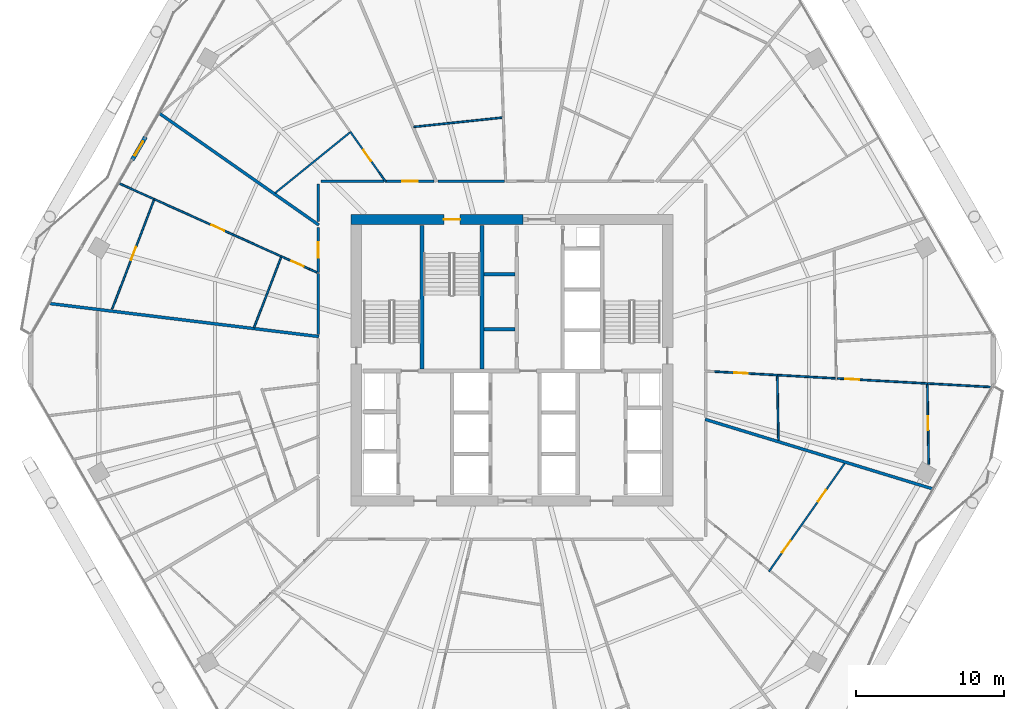
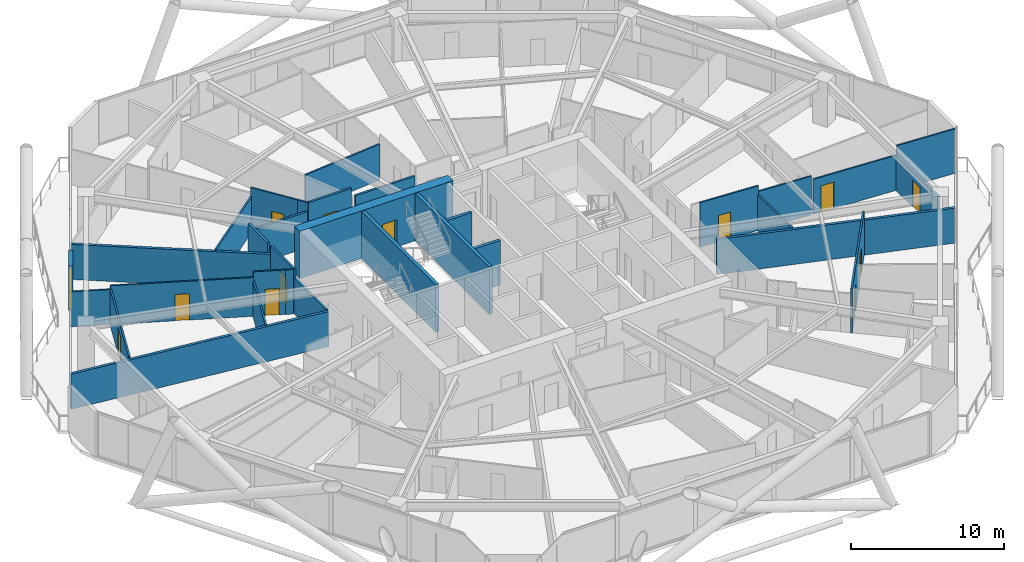
# One storey, part 32 of 36: 32 walls, 13 doors, 13 openings.
"""IFC4 building model written with IfcOpenShell, lengths in metres."""

from ifc_helpers import new_model, si_unit, direction, frame, frame_2d, origin, place, context, subcontext, project, spatial, rectangle, extrude, material, layer, layer_set, type_object, element, fill, save


model = new_model("IFC4")

# Units and contexts
model_context = context("Model", 3, precision=1e-05, world=origin(), true_north=direction((0.0, 1.0)))
body_context = subcontext(model_context, "Body", "Model", "MODEL_VIEW")
ifc_project = project(units=[si_unit("LENGTHUNIT", "METRE"), si_unit("AREAUNIT", "SQUARE_METRE"), si_unit("VOLUMEUNIT", "CUBIC_METRE"), si_unit("PLANEANGLEUNIT", "RADIAN"), si_unit("MASSUNIT", "GRAM", prefix="KILO")], contexts=[model_context])

# Site, building, storey
site_placement = place(None, origin())
site = spatial("IfcSite", under=ifc_project, at=site_placement, CompositionType="ELEMENT")
building_placement = place(site_placement, origin())
building = spatial("IfcBuilding", under=site, at=building_placement, Name="Zuhravey Tower", CompositionType="ELEMENT")
storey_placement = place(building_placement, frame((0.0, 0.0, 107.60009765625)))
storey = spatial("IfcBuildingStorey", under=building, at=storey_placement, Name="L26", CompositionType="ELEMENT", Elevation=107.60009765625)

# Wall, opening, door
ifc_material_1 = material(Name="Concrete C60/75", Category="concrete")
ifc_layer_1 = layer(ifc_material_1, 0.699951171875)
ifc_layer_set_1 = layer_set([ifc_layer_1], Name="Concrete C60/75")
wall_type_1 = type_object("IfcWallType", Name="Core Shear Wall 700", PredefinedType="SHEAR", material=ifc_layer_set_1)
wall_1_placement = place(storey_placement, frame((36.75, 41.5, 0.0), z_axis=(0.0, 0.0, 1.0), x_axis=(-1.0, 0.0, 0.0)))
wall_1 = element("IfcWall", 1, at=wall_1_placement, inside=storey, type_object=wall_type_1, Name="L26 North-West Core Shear Wall CW70", PredefinedType="SHEAR", context=body_context, shape_type="SweptSolid", body=[
    extrude(rectangle(XDim=11.60009765625, YDim=0.699951171875, at=frame_2d((5.800048828125, 0.0))), origin(), (0.0, 0.0, 1.0), 3.7998046875),
])
opening_1_placement = place(wall_1_placement, frame((4.25, 0.0, 0.0)))
opening_1 = element("IfcOpeningElement", 2, at=opening_1_placement, cuts=wall_1, Name="Opening STD1", PredefinedType="OPENING", context=body_context, shape_type="SweptSolid", body=[
    extrude(rectangle(XDim=1.10009765625, YDim=2.14990234375, at=frame_2d((0.550048828125, 1.074951171875))), frame((0.0, 0.362060546875, 0.0), z_axis=(0.0, -1.0, 0.0), x_axis=(1.0, 0.0, 0.0)), (0.0, 0.0, 1.0), 0.723876953125),
])
ifc_material_2 = material(Name="Galvanised fire-rated steel leaf", Category="steel")
door_type_1 = type_object("IfcDoorType", Name="Protected Stair Fire Door 1100x2150", OperationType="NOTDEFINED", PredefinedType="USERDEFINED", material=ifc_material_2)
door_1_placement = place(opening_1_placement, origin())
door_1 = element("IfcDoor", 3, at=door_1_placement, inside=storey, type_object=door_type_1, Name="L26 Stair ST3 Door", ObjectType="EXITDOOR", OperationType="SINGLE_SWING_RIGHT", OverallHeight=2.14990234375, OverallWidth=1.10009765625, PredefinedType="USERDEFINED", context=body_context, shape_type="SweptSolid", body=[
    extrude(rectangle(XDim=1.10009765625, YDim=2.14990234375, at=frame_2d((0.550048828125, 1.074951171875))), frame((0.0, 0.02490234375, 0.0), z_axis=(0.0, -1.0, 0.0), x_axis=(1.0, 0.0, 0.0)), (0.0, 0.0, 1.0), 0.050048828125),
])
fill(opening_1, door_1)

ifc_material_3 = material(Name="Gypsum fire-rated stud partition")
ifc_layer_2 = layer(ifc_material_3, 0.159912109375)
ifc_layer_set_2 = layer_set([ifc_layer_2], Name="Gypsum fire-rated stud partition")
wall_type_2 = type_object("IfcWallType", Name="Corridor Fire Partition 160", PredefinedType="PARTITIONING", material=ifc_layer_set_2)
wall_2_placement = place(storey_placement, frame((30.7255859375, 44.080078125, 0.0), z_axis=(0.0, 0.0, 1.0), x_axis=(-1.0, 0.0, 0.0)))
wall_2 = element("IfcWall", 4, at=wall_2_placement, inside=storey, type_object=wall_type_2, Name="L26 IW16 Partition 038", PredefinedType="PARTITIONING", context=body_context, shape_type="SweptSolid", body=[
    extrude(rectangle(XDim=3.247802734375, YDim=0.159912109375, at=frame_2d((1.6240234375, 0.0))), origin(), (0.0, 0.0, 1.0), 3.5498046875),
])
opening_2_placement = place(wall_2_placement, frame((1.09912109375, 0.0, 0.0)))
opening_2 = element("IfcOpeningElement", 5, at=opening_2_placement, cuts=wall_2, Name="Opening APD1", PredefinedType="OPENING", context=body_context, shape_type="SweptSolid", body=[
    extrude(rectangle(XDim=1.050048828125, YDim=2.14990234375, at=frame_2d((0.52490234375, 1.074951171875))), frame((0.0, 0.092041015625, 0.0), z_axis=(0.0, -1.0, 0.0), x_axis=(1.0, 0.0, 0.0)), (0.0, 0.0, 1.0), 0.183837890625),
])
ifc_material_4 = material(Name="Solid-core oak fire-rated leaf")
door_type_2 = type_object("IfcDoorType", Name="Apartment Entrance Fire Door 1050x2150", OperationType="NOTDEFINED", PredefinedType="DOOR", material=ifc_material_4)
door_2_placement = place(opening_2_placement, frame((1.050048828125, 0.0, 0.0), z_axis=(0.0, 0.0, 1.0), x_axis=(-1.0, 0.0, 0.0)))
door_2 = element("IfcDoor", 6, at=door_2_placement, inside=storey, type_object=door_type_2, Name="L26 Door 038.1", OperationType="SINGLE_SWING_RIGHT", OverallHeight=2.14990234375, OverallWidth=1.050048828125, PredefinedType="DOOR", context=body_context, shape_type="SweptSolid", body=[
    extrude(rectangle(XDim=1.050048828125, YDim=2.14990234375, at=frame_2d((0.52490234375, 1.074951171875))), frame((0.0, 0.02490234375, 0.0), z_axis=(0.0, -1.0, 0.0), x_axis=(1.0, 0.0, 0.0)), (0.0, 0.0, 1.0), 0.050048828125),
])
fill(opening_2, door_2)

wall_3_placement = place(storey_placement, frame((22.919921875, 40.96533203125, 0.0), z_axis=(0.0, 0.0, 1.0), x_axis=(0.0, -1.0, 0.0)))
wall_3 = element("IfcWall", 7, at=wall_3_placement, inside=storey, type_object=wall_type_2, Name="L26 IW16 Partition 042", PredefinedType="PARTITIONING", context=body_context, shape_type="SweptSolid", body=[
    extrude(rectangle(XDim=3.053955078125, YDim=0.159912109375, at=frame_2d((1.52685546875, 0.0))), origin(), (0.0, 0.0, 1.0), 3.5498046875),
])
opening_3_placement = place(wall_3_placement, frame((1.002197265625, 0.0, 0.0)))
opening_3 = element("IfcOpeningElement", 8, at=opening_3_placement, cuts=wall_3, Name="Opening APD1", PredefinedType="OPENING", context=body_context, shape_type="SweptSolid", body=[
    extrude(rectangle(XDim=1.050048828125, YDim=2.14990234375, at=frame_2d((0.52490234375, 1.074951171875))), frame((0.0, 0.092041015625, 0.0), z_axis=(0.0, -1.0, 0.0), x_axis=(1.0, 0.0, 0.0)), (0.0, 0.0, 1.0), 0.183837890625),
])
door_3_placement = place(opening_3_placement, frame((1.050048828125, 0.0, 0.0), z_axis=(0.0, 0.0, 1.0), x_axis=(-1.0, 0.0, 0.0)))
door_3 = element("IfcDoor", 9, at=door_3_placement, inside=storey, type_object=door_type_2, Name="L26 Door 042.1", OperationType="SINGLE_SWING_RIGHT", OverallHeight=2.14990234375, OverallWidth=1.050048828125, PredefinedType="DOOR", context=body_context, shape_type="SweptSolid", body=[
    extrude(rectangle(XDim=1.050048828125, YDim=2.14990234375, at=frame_2d((0.52490234375, 1.074951171875))), frame((0.0, 0.02490234375, 0.0), z_axis=(0.0, -1.0, 0.0), x_axis=(1.0, 0.0, 0.0)), (0.0, 0.0, 1.0), 0.050048828125),
])
fill(opening_3, door_3)

# Walls
wall_4_placement = place(storey_placement, frame((35.501708984375, 44.080078125, 0.0), z_axis=(0.0, 0.0, 1.0), x_axis=(-1.0, 0.0, 0.0)))
element("IfcWall", 10, at=wall_4_placement, inside=storey, type_object=wall_type_2, Name="L26 IW16 Partition 140", PredefinedType="PARTITIONING", context=body_context, shape_type="SweptSolid", body=[
    extrude(rectangle(XDim=4.48388671875, YDim=0.159912109375, at=frame_2d((2.241943359375, 0.0))), origin(), (0.0, 0.0, 1.0), 2.849853515625),
])
wall_5_placement = place(storey_placement, frame((27.369873046875, 44.080078125, 0.0), z_axis=(0.0, 0.0, 1.0), x_axis=(-1.0, 0.0, 0.0)))
element("IfcWall", 11, at=wall_5_placement, inside=storey, type_object=wall_type_2, Name="L26 IW16 Partition 141", PredefinedType="PARTITIONING", context=body_context, shape_type="SweptSolid", body=[
    extrude(rectangle(XDim=4.269775390625, YDim=0.159912109375, at=frame_2d((2.134765625, 0.0))), origin(), (0.0, 0.0, 1.0), 2.849853515625),
])
wall_6_placement = place(storey_placement, frame((22.919921875, 43.89990234375, 0.0), z_axis=(0.0, 0.0, 1.0), x_axis=(0.0, -1.0, 0.0)))
element("IfcWall", 12, at=wall_6_placement, inside=storey, type_object=wall_type_2, Name="L26 IW16 Partition 142", PredefinedType="PARTITIONING", context=body_context, shape_type="SweptSolid", body=[
    extrude(rectangle(XDim=2.54541015625, YDim=0.159912109375, at=frame_2d((1.272705078125, 0.0))), origin(), (0.0, 0.0, 1.0), 3.5498046875),
])
wall_7_placement = place(storey_placement, frame((22.919921875, 37.867431640625, 0.0), z_axis=(0.0, 0.0, 1.0), x_axis=(0.0, -1.0, 0.0)))
element("IfcWall", 13, at=wall_7_placement, inside=storey, type_object=wall_type_2, Name="L26 IW16 Partition 143", PredefinedType="PARTITIONING", context=body_context, shape_type="SweptSolid", body=[
    extrude(rectangle(XDim=4.125244140625, YDim=0.159912109375, at=frame_2d((2.0625, 0.0))), origin(), (0.0, 0.0, 1.0), 2.849853515625),
])

# Wall, opening, door
ifc_material_5 = material(Name="Precast concrete C40/50", Category="concrete")
ifc_layer_3 = layer(ifc_material_5, 0.280029296875)
ifc_layer_set_3 = layer_set([ifc_layer_3], Name="Precast concrete C40/50")
wall_type_3 = type_object("IfcWallType", Name="Crown Architectural Wall 280", PredefinedType="SOLIDWALL", material=ifc_layer_set_3)
wall_8_placement = place(storey_placement, frame((10.366943359375, 45.51904296875, 0.0), z_axis=(0.0, 0.0, 1.0), x_axis=(0.499982180423, 0.866035691677, 0.0)))
wall_8 = element("IfcWall", 14, at=wall_8_placement, inside=storey, type_object=wall_type_3, Name="L26 Face 3 Facade Pier EW28-1", PredefinedType="SOLIDWALL", context=body_context, shape_type="SweptSolid", body=[
    extrude(rectangle(XDim=1.7900390625, YDim=0.280029296875, at=frame_2d((0.89501953125, 0.0))), origin(), (0.0, 0.0, 1.0), 3.5498046875),
])
opening_4_placement = place(wall_8_placement, frame((0.344970703125, 0.0, 0.0)))
opening_4 = element("IfcOpeningElement", 15, at=opening_4_placement, cuts=wall_8, Name="Opening BLD1", PredefinedType="OPENING", context=body_context, shape_type="SweptSolid", body=[
    extrude(rectangle(XDim=1.10009765625, YDim=2.199951171875, at=frame_2d((0.550048828125, 1.10009765625))), frame((0.0, 0.152099609375, 0.0), z_axis=(0.0, -1.0, 0.0), x_axis=(1.0, 0.0, 0.0)), (0.0, 0.0, 1.0), 0.303955078125),
])
ifc_material_6 = material(Name="Thermally broken aluminium and low-E glass", Category="aluminium")
door_type_3 = type_object("IfcDoorType", Name="Balcony & Sky-Tray Glazed Door 1100x2200", OperationType="NOTDEFINED", PredefinedType="DOOR", material=ifc_material_6)
door_4_placement = place(opening_4_placement, frame((1.10009765625, 0.0, 0.0), z_axis=(0.0, 0.0, 1.0), x_axis=(-1.0, 0.0, 0.0)))
door_4 = element("IfcDoor", 16, at=door_4_placement, inside=storey, type_object=door_type_3, Name="L26 Face 3 Wave Balcony Door", OperationType="SINGLE_SWING_RIGHT", OverallHeight=2.199951171875, OverallWidth=1.10009765625, PredefinedType="DOOR", context=body_context, shape_type="SweptSolid", body=[
    extrude(rectangle(XDim=1.10009765625, YDim=2.199951171875, at=frame_2d((0.550048828125, 1.10009765625))), frame((0.0, 0.02490234375, 0.0), z_axis=(0.0, -1.0, 0.0), x_axis=(1.0, 0.0, 0.0)), (0.0, 0.0, 1.0), 0.050048828125),
])
fill(opening_4, door_4)

# Walls
ifc_material_7 = material(Name="Concrete C50/60", Category="concrete")
ifc_layer_4 = layer(ifc_material_7, 0.25)
ifc_layer_set_4 = layer_set([ifc_layer_4], Name="Concrete C50/60")
wall_type_4 = type_object("IfcWallType", Name="Firefighting Shaft & Stair Wall 250", PredefinedType="SOLIDWALL", material=ifc_layer_set_4)
for number, where, z_axis, x_axis, name in (
    (17, (29.925048828125, 31.39990234375, 0.0), (0.0, 0.0, 1.0), (0.0, 1.0, 0.0), "L26 FW25 Shaft Wall 004"),
    (18, (33.97509765625, 31.39990234375, 0.0), (0.0, 0.0, 1.0), (0.0, 1.0, 0.0), "L26 FW25 Shaft Wall 005"),
):
    element("IfcWall", number, at=place(storey_placement, frame(where, z_axis=z_axis, x_axis=x_axis)), inside=storey, type_object=wall_type_4, Name=name, PredefinedType="SOLIDWALL", context=body_context, shape_type="SweptSolid", body=[
        extrude(rectangle(XDim=9.7001953125, YDim=0.25, at=frame_2d((4.85009765625, 0.0))), origin(), (0.0, 0.0, 1.0), 3.7998046875),
    ])
ifc_material_8 = material(Name="Gypsum double-stud party assembly")
ifc_layer_5 = layer(ifc_material_8, 0.199951171875)
ifc_layer_set_5 = layer_set([ifc_layer_5], Name="Gypsum double-stud party assembly")
wall_type_5 = type_object("IfcWallType", Name="Inter-Tenancy Party Wall 200", PredefinedType="PARTITIONING", material=ifc_layer_set_5)
wall_9_placement = place(storey_placement, frame((22.9599609375, 41.130615234375, 0.0), z_axis=(0.0, 0.0, 1.0), x_axis=(-0.819148180014, 0.573581955068, 0.0)))
element("IfcWall", 19, at=wall_9_placement, inside=storey, type_object=wall_type_5, Name="L26 IW20 Partition 101", PredefinedType="PARTITIONING", context=body_context, shape_type="SweptSolid", body=[
    extrude(rectangle(XDim=13.150146484375, YDim=0.199951171875, at=frame_2d((6.5751953125, 0.0))), origin(), (0.0, 0.0, 1.0), 2.7998046875),
])
wall_10_placement = place(storey_placement, frame((22.9599609375, 33.60107421875, 0.0), z_axis=(0.0, 0.0, 1.0), x_axis=(-0.99254551981, 0.121874489148, 0.0)))
element("IfcWall", 20, at=wall_10_placement, inside=storey, type_object=wall_type_5, Name="L26 IW20 Partition 105", PredefinedType="PARTITIONING", context=body_context, shape_type="SweptSolid", body=[
    extrude(rectangle(XDim=18.3212890625, YDim=0.199951171875, at=frame_2d((9.16064453125, 0.0))), origin(), (0.0, 0.0, 1.0), 2.7998046875),
])
wall_11_placement = place(storey_placement, frame((49.0400390625, 28.01318359375, 0.0), z_axis=(0.0, 0.0, 1.0), x_axis=(0.956308788135, -0.292358515757, 0.0)))
element("IfcWall", 21, at=wall_11_placement, inside=storey, type_object=wall_type_5, Name="L26 IW20 Partition 132", PredefinedType="PARTITIONING", context=body_context, shape_type="SweptSolid", body=[
    extrude(rectangle(XDim=16.084228515625, YDim=0.199951171875, at=frame_2d((8.0419921875, 0.0))), origin(), (0.0, 0.0, 1.0), 2.7998046875),
])
ifc_material_9 = material(Name="Gypsum acoustic stud assembly")
ifc_layer_6 = layer(ifc_material_9, 0.219970703125)
ifc_layer_set_6 = layer_set([ifc_layer_6], Name="Gypsum acoustic stud assembly")
wall_type_6 = type_object("IfcWallType", Name="School Acoustic Compartment Wall 220", PredefinedType="PARTITIONING", material=ifc_layer_set_6)
for number, where, z_axis, x_axis, name in (
    (22, (34.10791015625, 34.10009765625, 0.0), (0.0, 0.0, 1.0), (1.0, 0.0, 0.0), "L26 IW22 Partition 075"),
    (23, (34.10791015625, 37.800048828125, 0.0), (0.0, 0.0, 1.0), (1.0, 0.0, 0.0), "L26 IW22 Partition 076"),
):
    element("IfcWall", number, at=place(storey_placement, frame(where, z_axis=z_axis, x_axis=x_axis)), inside=storey, type_object=wall_type_6, Name=name, PredefinedType="PARTITIONING", context=body_context, shape_type="SweptSolid", body=[
        extrude(rectangle(XDim=2.083984375, YDim=0.219970703125, at=frame_2d((1.0419921875, 0.0))), origin(), (0.0, 0.0, 1.0), 3.5498046875),
    ])

# Wall, opening, door
ifc_material_10 = material(Name="Gypsum metal-stud partition")
ifc_layer_7 = layer(ifc_material_10, 0.1201171875)
ifc_layer_set_7 = layer_set([ifc_layer_7], Name="Gypsum metal-stud partition")
wall_type_7 = type_object("IfcWallType", Name="Unit Internal Partition 120", PredefinedType="PARTITIONING", material=ifc_layer_set_7)
wall_12_placement = place(storey_placement, frame((27.0498046875, 44.64990234375, 0.0), z_axis=(0.0, 0.0, 1.0), x_axis=(-0.577553372085, 0.816352927595, 0.0)))
wall_12 = element("IfcWall", 24, at=wall_12_placement, inside=storey, type_object=wall_type_7, Name="L26 IW12 Partition 034", PredefinedType="PARTITIONING", context=body_context, shape_type="SweptSolid", body=[
    extrude(rectangle(XDim=3.40234375, YDim=0.1201171875, at=frame_2d((1.701171875, 0.0))), origin(), (0.0, 0.0, 1.0), 3.5498046875),
])
opening_5_placement = place(wall_12_placement, frame((0.97900390625, 0.0, 0.0)))
opening_5 = element("IfcOpeningElement", 25, at=opening_5_placement, cuts=wall_12, Name="Opening WCD1", PredefinedType="OPENING", context=body_context, shape_type="SweptSolid", body=[
    extrude(rectangle(XDim=0.89990234375, YDim=2.10009765625, at=frame_2d((0.449951171875, 1.050048828125))), frame((0.0, 0.072021484375, 0.0), z_axis=(0.0, -1.0, 0.0), x_axis=(1.0, 0.0, 0.0)), (0.0, 0.0, 1.0), 0.14404296875),
])
ifc_material_11 = material(Name="Moisture-resistant timber leaf", Category="wood")
door_type_4 = type_object("IfcDoorType", Name="Bathroom & WC Internal Door 900x2100", OperationType="NOTDEFINED", PredefinedType="DOOR", material=ifc_material_11)
door_5_placement = place(opening_5_placement, origin())
door_5 = element("IfcDoor", 26, at=door_5_placement, inside=storey, type_object=door_type_4, Name="Apartment L26-04 Bathroom Door", OperationType="SINGLE_SWING_LEFT", OverallHeight=2.10009765625, OverallWidth=0.89990234375, PredefinedType="DOOR", context=body_context, shape_type="SweptSolid", body=[
    extrude(rectangle(XDim=0.89990234375, YDim=2.10009765625, at=frame_2d((0.449951171875, 1.050048828125))), frame((0.0, 0.02490234375, 0.0), z_axis=(0.0, -1.0, 0.0), x_axis=(1.0, 0.0, 0.0)), (0.0, 0.0, 1.0), 0.050048828125),
])
fill(opening_5, door_5)

wall_13_placement = place(storey_placement, frame((22.35009765625, 38.14599609375, 0.0), z_axis=(0.0, 0.0, 1.0), x_axis=(-0.911826982845, 0.410574662341, 0.0)))
wall_13 = element("IfcWall", 27, at=wall_13_placement, inside=storey, type_object=wall_type_7, Name="L26 IW12 Partition 039", PredefinedType="PARTITIONING", context=body_context, shape_type="SweptSolid", body=[
    extrude(rectangle(XDim=2.126953125, YDim=0.1201171875, at=frame_2d((1.0634765625, 0.0))), origin(), (0.0, 0.0, 1.0), 3.5498046875),
])
opening_6_placement = place(wall_13_placement, frame((0.443359375, 0.0, 0.0)))
opening_6 = element("IfcOpeningElement", 28, at=opening_6_placement, cuts=wall_13, Name="Opening WCD1", PredefinedType="OPENING", context=body_context, shape_type="SweptSolid", body=[
    extrude(rectangle(XDim=0.89990234375, YDim=2.10009765625, at=frame_2d((0.449951171875, 1.050048828125))), frame((0.0, 0.072021484375, 0.0), z_axis=(0.0, -1.0, 0.0), x_axis=(1.0, 0.0, 0.0)), (0.0, 0.0, 1.0), 0.14404296875),
])
door_6_placement = place(opening_6_placement, origin())
door_6 = element("IfcDoor", 29, at=door_6_placement, inside=storey, type_object=door_type_4, Name="Apartment L26-05 Bathroom Door", OperationType="SINGLE_SWING_LEFT", OverallHeight=2.10009765625, OverallWidth=0.89990234375, PredefinedType="DOOR", context=body_context, shape_type="SweptSolid", body=[
    extrude(rectangle(XDim=0.89990234375, YDim=2.10009765625, at=frame_2d((0.449951171875, 1.050048828125))), frame((0.0, 0.02490234375, 0.0), z_axis=(0.0, -1.0, 0.0), x_axis=(1.0, 0.0, 0.0)), (0.0, 0.0, 1.0), 0.050048828125),
])
fill(opening_6, door_6)

wall_14_placement = place(storey_placement, frame((20.41064453125, 39.019287109375, 0.0), z_axis=(0.0, 0.0, 1.0), x_axis=(-0.911837449282, 0.410551417104, 0.0)))
wall_14 = element("IfcWall", 30, at=wall_14_placement, inside=storey, type_object=wall_type_7, Name="L26 IW12 Partition 040", PredefinedType="PARTITIONING", context=body_context, shape_type="SweptSolid", body=[
    extrude(rectangle(XDim=9.404052734375, YDim=0.1201171875, at=frame_2d((4.7021484375, 0.0))), origin(), (0.0, 0.0, 1.0), 3.099853515625),
])
opening_7_placement = place(wall_14_placement, frame((4.2021484375, 0.0, 0.0)))
opening_7 = element("IfcOpeningElement", 31, at=opening_7_placement, cuts=wall_14, Name="Opening IND1", PredefinedType="OPENING", context=body_context, shape_type="SweptSolid", body=[
    extrude(rectangle(XDim=0.949951171875, YDim=2.10009765625, at=frame_2d((0.47509765625, 1.050048828125))), frame((0.0, 0.072021484375, 0.0), z_axis=(0.0, -1.0, 0.0), x_axis=(1.0, 0.0, 0.0)), (0.0, 0.0, 1.0), 0.14404296875),
])
ifc_material_12 = material(Name="Painted engineered timber leaf", Category="wood")
door_type_5 = type_object("IfcDoorType", Name="Internal Room & Bedroom Door 950x2100", OperationType="NOTDEFINED", PredefinedType="DOOR", material=ifc_material_12)
door_7_placement = place(opening_7_placement, origin())
door_7 = element("IfcDoor", 32, at=door_7_placement, inside=storey, type_object=door_type_5, Name="Apartment L26-05 Home Office Door", OperationType="SINGLE_SWING_RIGHT", OverallHeight=2.10009765625, OverallWidth=0.949951171875, PredefinedType="DOOR", context=body_context, shape_type="SweptSolid", body=[
    extrude(rectangle(XDim=0.949951171875, YDim=2.10009765625, at=frame_2d((0.47509765625, 1.050048828125))), frame((0.0, 0.02490234375, 0.0), z_axis=(0.0, -1.0, 0.0), x_axis=(1.0, 0.0, 0.0)), (0.0, 0.0, 1.0), 0.050048828125),
])
fill(opening_7, door_7)

wall_15_placement = place(storey_placement, frame((11.833984375, 42.806396484375, 0.0), z_axis=(0.0, 0.0, 1.0), x_axis=(-0.358347623064, -0.933588228848, 0.0)))
wall_15 = element("IfcWall", 33, at=wall_15_placement, inside=storey, type_object=wall_type_7, Name="L26 IW12 Partition 041", PredefinedType="PARTITIONING", context=body_context, shape_type="SweptSolid", body=[
    extrude(rectangle(XDim=7.877197265625, YDim=0.1201171875, at=frame_2d((3.9384765625, 0.0))), origin(), (0.0, 0.0, 1.0), 2.849853515625),
])
opening_8_placement = place(wall_15_placement, frame((3.37939453125, 0.0, 0.0)))
opening_8 = element("IfcOpeningElement", 34, at=opening_8_placement, cuts=wall_15, Name="Opening IND1", PredefinedType="OPENING", context=body_context, shape_type="SweptSolid", body=[
    extrude(rectangle(XDim=0.949951171875, YDim=2.10009765625, at=frame_2d((0.47509765625, 1.050048828125))), frame((0.0, 0.072021484375, 0.0), z_axis=(0.0, -1.0, 0.0), x_axis=(1.0, 0.0, 0.0)), (0.0, 0.0, 1.0), 0.14404296875),
])
door_8_placement = place(opening_8_placement, frame((0.949951171875, 0.0, 0.0), z_axis=(0.0, 0.0, 1.0), x_axis=(-1.0, 0.0, 0.0)))
door_8 = element("IfcDoor", 35, at=door_8_placement, inside=storey, type_object=door_type_5, Name="Apartment L26-05 Kitchen Door", OperationType="SINGLE_SWING_LEFT", OverallHeight=2.10009765625, OverallWidth=0.949951171875, PredefinedType="DOOR", context=body_context, shape_type="SweptSolid", body=[
    extrude(rectangle(XDim=0.949951171875, YDim=2.10009765625, at=frame_2d((0.47509765625, 1.050048828125))), frame((0.0, 0.02490234375, 0.0), z_axis=(0.0, -1.0, 0.0), x_axis=(1.0, 0.0, 0.0)), (0.0, 0.0, 1.0), 0.050048828125),
])
fill(opening_8, door_8)

# Wall, openings, doors
wall_16_placement = place(storey_placement, frame((53.33544921875, 17.732421875, 0.0), z_axis=(0.0, 0.0, 1.0), x_axis=(0.573576398243, 0.819152070972, 0.0)))
wall_16 = element("IfcWall", 36, at=wall_16_placement, inside=storey, type_object=wall_type_7, Name="L26 IW12 Partition 063", PredefinedType="PARTITIONING", context=body_context, shape_type="SweptSolid", body=[
    extrude(rectangle(XDim=8.90673828125, YDim=0.1201171875, at=frame_2d((4.453369140625, 0.0))), origin(), (0.0, 0.0, 1.0), 3.5498046875),
])
opening_9_placement = place(wall_16_placement, frame((1.576416015625, 0.0, 0.0)))
opening_9 = element("IfcOpeningElement", 37, at=opening_9_placement, cuts=wall_16, Name="Opening IND1", PredefinedType="OPENING", context=body_context, shape_type="SweptSolid", body=[
    extrude(rectangle(XDim=0.949951171875, YDim=2.10009765625, at=frame_2d((0.47509765625, 1.050048828125))), frame((0.0, 0.072021484375, 0.0), z_axis=(0.0, -1.0, 0.0), x_axis=(1.0, 0.0, 0.0)), (0.0, 0.0, 1.0), 0.14404296875),
])
opening_10_placement = place(wall_16_placement, frame((5.789306640625, 0.0, 0.0)))
opening_10 = element("IfcOpeningElement", 38, at=opening_10_placement, cuts=wall_16, Name="Opening IND1", PredefinedType="OPENING", context=body_context, shape_type="SweptSolid", body=[
    extrude(rectangle(XDim=0.949951171875, YDim=2.10009765625, at=frame_2d((0.47509765625, 1.050048828125))), frame((0.0, 0.072021484375, 0.0), z_axis=(0.0, -1.0, 0.0), x_axis=(1.0, 0.0, 0.0)), (0.0, 0.0, 1.0), 0.14404296875),
])
door_9_placement = place(opening_9_placement, frame((0.949951171875, 0.0, 0.0), z_axis=(0.0, 0.0, 1.0), x_axis=(-1.0, 0.0, 0.0)))
door_9 = element("IfcDoor", 39, at=door_9_placement, inside=storey, type_object=door_type_5, Name="Apartment L26-10 Family Study Door", OperationType="SINGLE_SWING_RIGHT", OverallHeight=2.10009765625, OverallWidth=0.949951171875, PredefinedType="DOOR", context=body_context, shape_type="SweptSolid", body=[
    extrude(rectangle(XDim=0.949951171875, YDim=2.10009765625, at=frame_2d((0.47509765625, 1.050048828125))), frame((0.0, 0.02490234375, 0.0), z_axis=(0.0, -1.0, 0.0), x_axis=(1.0, 0.0, 0.0)), (0.0, 0.0, 1.0), 0.050048828125),
])
fill(opening_9, door_9)
door_10_placement = place(opening_10_placement, frame((0.949951171875, 0.0, 0.0), z_axis=(0.0, 0.0, 1.0), x_axis=(-1.0, 0.0, 0.0)))
door_10 = element("IfcDoor", 40, at=door_10_placement, inside=storey, type_object=door_type_5, Name="Apartment L26-10 Dining Room Door", OperationType="SINGLE_SWING_LEFT", OverallHeight=2.10009765625, OverallWidth=0.949951171875, PredefinedType="DOOR", context=body_context, shape_type="SweptSolid", body=[
    extrude(rectangle(XDim=0.949951171875, YDim=2.10009765625, at=frame_2d((0.47509765625, 1.050048828125))), frame((0.0, 0.02490234375, 0.0), z_axis=(0.0, -1.0, 0.0), x_axis=(1.0, 0.0, 0.0)), (0.0, 0.0, 1.0), 0.050048828125),
])
fill(opening_10, door_10)

# Wall, opening, door
wall_17_placement = place(storey_placement, frame((49.64990234375, 31.23681640625, 0.0), z_axis=(0.0, 0.0, 1.0), x_axis=(0.998441902316, -0.055801144241, 0.0)))
wall_17 = element("IfcWall", 41, at=wall_17_placement, inside=storey, type_object=wall_type_7, Name="L26 IW12 Partition 070", PredefinedType="PARTITIONING", context=body_context, shape_type="SweptSolid", body=[
    extrude(rectangle(XDim=4.28759765625, YDim=0.1201171875, at=frame_2d((2.143798828125, 0.0))), origin(), (0.0, 0.0, 1.0), 3.5498046875),
])
opening_11_placement = place(wall_17_placement, frame((1.350830078125, 0.0, 0.0)))
opening_11 = element("IfcOpeningElement", 42, at=opening_11_placement, cuts=wall_17, Name="Opening WCD1", PredefinedType="OPENING", context=body_context, shape_type="SweptSolid", body=[
    extrude(rectangle(XDim=0.89990234375, YDim=2.10009765625, at=frame_2d((0.449951171875, 1.050048828125))), frame((0.0, 0.072021484375, 0.0), z_axis=(0.0, -1.0, 0.0), x_axis=(1.0, 0.0, 0.0)), (0.0, 0.0, 1.0), 0.14404296875),
])
door_11_placement = place(opening_11_placement, frame((0.89990234375, 0.0, 0.0), z_axis=(0.0, 0.0, 1.0), x_axis=(-1.0, 0.0, 0.0)))
door_11 = element("IfcDoor", 43, at=door_11_placement, inside=storey, type_object=door_type_4, Name="Apartment L26-11 Bathroom Door", OperationType="SINGLE_SWING_RIGHT", OverallHeight=2.10009765625, OverallWidth=0.89990234375, PredefinedType="DOOR", context=body_context, shape_type="SweptSolid", body=[
    extrude(rectangle(XDim=0.89990234375, YDim=2.10009765625, at=frame_2d((0.449951171875, 1.050048828125))), frame((0.0, 0.02490234375, 0.0), z_axis=(0.0, -1.0, 0.0), x_axis=(1.0, 0.0, 0.0)), (0.0, 0.0, 1.0), 0.050048828125),
])
fill(opening_11, door_11)

# Wall
wall_18_placement = place(storey_placement, frame((53.930908203125, 30.99755859375, 0.0), z_axis=(0.0, 0.0, 1.0), x_axis=(0.998438110944, -0.055868941407, 0.0)))
element("IfcWall", 44, at=wall_18_placement, inside=storey, type_object=wall_type_7, Name="L26 IW12 Partition 071", PredefinedType="PARTITIONING", context=body_context, shape_type="SweptSolid", body=[
    extrude(rectangle(XDim=3.89794921875, YDim=0.1201171875, at=frame_2d((1.948974609375, 0.0))), origin(), (0.0, 0.0, 1.0), 3.099853515625),
])

# Wall, opening, door
wall_19_placement = place(storey_placement, frame((57.958740234375, 30.772216796875, 0.0), z_axis=(0.0, 0.0, 1.0), x_axis=(0.998441350972, -0.055811008487, 0.0)))
wall_19 = element("IfcWall", 45, at=wall_19_placement, inside=storey, type_object=wall_type_7, Name="L26 IW12 Partition 072", PredefinedType="PARTITIONING", context=body_context, shape_type="SweptSolid", body=[
    extrude(rectangle(XDim=6.106689453125, YDim=0.1201171875, at=frame_2d((3.05322265625, 0.0))), origin(), (0.0, 0.0, 1.0), 2.7998046875),
])
opening_12_placement = place(wall_19_placement, frame((0.5361328125, 0.0, 0.0)))
opening_12 = element("IfcOpeningElement", 46, at=opening_12_placement, cuts=wall_19, Name="Opening IND1", PredefinedType="OPENING", context=body_context, shape_type="SweptSolid", body=[
    extrude(rectangle(XDim=0.949951171875, YDim=2.10009765625, at=frame_2d((0.47509765625, 1.050048828125))), frame((0.0, 0.072021484375, 0.0), z_axis=(0.0, -1.0, 0.0), x_axis=(1.0, 0.0, 0.0)), (0.0, 0.0, 1.0), 0.14404296875),
])
door_12_placement = place(opening_12_placement, frame((0.949951171875, 0.0, 0.0), z_axis=(0.0, 0.0, 1.0), x_axis=(-1.0, 0.0, 0.0)))
door_12 = element("IfcDoor", 47, at=door_12_placement, inside=storey, type_object=door_type_5, Name="Apartment L26-11 Home Office Door", OperationType="SINGLE_SWING_LEFT", OverallHeight=2.10009765625, OverallWidth=0.949951171875, PredefinedType="DOOR", context=body_context, shape_type="SweptSolid", body=[
    extrude(rectangle(XDim=0.949951171875, YDim=2.10009765625, at=frame_2d((0.47509765625, 1.050048828125))), frame((0.0, 0.02490234375, 0.0), z_axis=(0.0, -1.0, 0.0), x_axis=(1.0, 0.0, 0.0)), (0.0, 0.0, 1.0), 0.050048828125),
])
fill(opening_12, door_12)

wall_20_placement = place(storey_placement, frame((64.126220703125, 24.978515625, 0.0), z_axis=(0.0, 0.0, 1.0), x_axis=(-0.017448954527, 0.999847755404, 0.0)))
wall_20 = element("IfcWall", 48, at=wall_20_placement, inside=storey, type_object=wall_type_7, Name="L26 IW12 Partition 073", PredefinedType="PARTITIONING", context=body_context, shape_type="SweptSolid", body=[
    extrude(rectangle(XDim=5.38671875, YDim=0.1201171875, at=frame_2d((2.693359375, 0.0))), origin(), (0.0, 0.0, 1.0), 2.7998046875),
])
opening_13_placement = place(wall_20_placement, frame((2.302734375, 0.0, 0.0)))
opening_13 = element("IfcOpeningElement", 49, at=opening_13_placement, cuts=wall_20, Name="Opening IND1", PredefinedType="OPENING", context=body_context, shape_type="SweptSolid", body=[
    extrude(rectangle(XDim=0.949951171875, YDim=2.10009765625, at=frame_2d((0.47509765625, 1.050048828125))), frame((0.0, 0.072021484375, 0.0), z_axis=(0.0, -1.0, 0.0), x_axis=(1.0, 0.0, 0.0)), (0.0, 0.0, 1.0), 0.14404296875),
])
door_13_placement = place(opening_13_placement, frame((0.949951171875, 0.0, 0.0), z_axis=(0.0, 0.0, 1.0), x_axis=(-1.0, 0.0, 0.0)))
door_13 = element("IfcDoor", 50, at=door_13_placement, inside=storey, type_object=door_type_5, Name="Apartment L26-11 Bedroom 1 Door", OperationType="SINGLE_SWING_RIGHT", OverallHeight=2.10009765625, OverallWidth=0.949951171875, PredefinedType="DOOR", context=body_context, shape_type="SweptSolid", body=[
    extrude(rectangle(XDim=0.949951171875, YDim=2.10009765625, at=frame_2d((0.47509765625, 1.050048828125))), frame((0.0, 0.02490234375, 0.0), z_axis=(0.0, -1.0, 0.0), x_axis=(1.0, 0.0, 0.0)), (0.0, 0.0, 1.0), 0.050048828125),
])
fill(opening_13, door_13)

# Walls
wall_21_placement = place(storey_placement, frame((35.348388671875, 48.379150390625, 0.0), z_axis=(0.0, 0.0, 1.0), x_axis=(-0.994520791482, -0.104538965509, 0.0)))
element("IfcWall", 51, at=wall_21_placement, inside=storey, type_object=wall_type_7, Name="L26 IW12 Partition 096", PredefinedType="PARTITIONING", context=body_context, shape_type="SweptSolid", body=[
    extrude(rectangle(XDim=6.013671875, YDim=0.1201171875, at=frame_2d((3.0068359375, 0.0))), origin(), (0.0, 0.0, 1.0), 2.849853515625),
])
wall_22_placement = place(storey_placement, frame((27.477783203125, 44.04541015625, 0.0), z_axis=(0.0, 0.0, 1.0), x_axis=(-0.577834412399, 0.816154024586, 0.0)))
element("IfcWall", 52, at=wall_22_placement, inside=storey, type_object=wall_type_7, Name="L26 IW12 Partition 098", PredefinedType="PARTITIONING", context=body_context, shape_type="SweptSolid", body=[
    extrude(rectangle(XDim=0.74072265625, YDim=0.1201171875, at=frame_2d((0.370361328125, 0.0))), origin(), (0.0, 0.0, 1.0), 3.5498046875),
])
wall_23_placement = place(storey_placement, frame((25.046142578125, 47.3642578125, 0.0), z_axis=(0.0, 0.0, 1.0), x_axis=(-0.777136993878, -0.629331464926, 0.0)))
element("IfcWall", 53, at=wall_23_placement, inside=storey, type_object=wall_type_7, Name="L26 IW12 Partition 100", PredefinedType="PARTITIONING", context=body_context, shape_type="SweptSolid", body=[
    extrude(rectangle(XDim=6.483154296875, YDim=0.1201171875, at=frame_2d((3.24169921875, 0.0))), origin(), (0.0, 0.0, 1.0), 2.849853515625),
])
wall_24_placement = place(storey_placement, frame((22.83203125, 37.928955078125, 0.0), z_axis=(0.0, 0.0, 1.0), x_axis=(-0.911800467551, 0.410633543897, 0.0)))
element("IfcWall", 54, at=wall_24_placement, inside=storey, type_object=wall_type_7, Name="L26 IW12 Partition 102", PredefinedType="PARTITIONING", context=body_context, shape_type="SweptSolid", body=[
    extrude(rectangle(XDim=0.528564453125, YDim=0.1201171875, at=frame_2d((0.26416015625, 0.0))), origin(), (0.0, 0.0, 1.0), 3.5498046875),
])
wall_25_placement = place(storey_placement, frame((11.835693359375, 42.880126953125, 0.0), z_axis=(0.0, 0.0, 1.0), x_axis=(-0.911821705631, 0.410586382068, 0.0)))
element("IfcWall", 55, at=wall_25_placement, inside=storey, type_object=wall_type_7, Name="L26 IW12 Partition 103", PredefinedType="PARTITIONING", context=body_context, shape_type="SweptSolid", body=[
    extrude(rectangle(XDim=2.60986328125, YDim=0.1201171875, at=frame_2d((1.304931640625, 0.0))), origin(), (0.0, 0.0, 1.0), 2.7998046875),
])
wall_26_placement = place(storey_placement, frame((20.4091796875, 38.9453125, 0.0), z_axis=(0.0, 0.0, 1.0), x_axis=(-0.358374938657, -0.933577743598, 0.0)))
element("IfcWall", 56, at=wall_26_placement, inside=storey, type_object=wall_type_7, Name="L26 IW12 Partition 104", PredefinedType="PARTITIONING", context=body_context, shape_type="SweptSolid", body=[
    extrude(rectangle(XDim=5.091552734375, YDim=0.1201171875, at=frame_2d((2.5458984375, 0.0))), origin(), (0.0, 0.0, 1.0), 2.849853515625),
])
wall_27_placement = place(storey_placement, frame((64.055908203125, 30.431396484375, 0.0), z_axis=(0.0, 0.0, 1.0), x_axis=(0.998439890164, -0.05583713575, 0.0)))
element("IfcWall", 57, at=wall_27_placement, inside=storey, type_object=wall_type_7, Name="L26 IW12 Partition 135", PredefinedType="PARTITIONING", context=body_context, shape_type="SweptSolid", body=[
    extrude(rectangle(XDim=4.34619140625, YDim=0.1201171875, at=frame_2d((2.173095703125, 0.0))), origin(), (0.0, 0.0, 1.0), 3.5498046875),
])
wall_28_placement = place(storey_placement, frame((53.982421875, 26.615234375, 0.0), z_axis=(0.0, 0.0, 1.0), x_axis=(-0.017478660109, 0.999847236552, 0.0)))
element("IfcWall", 58, at=wall_28_placement, inside=storey, type_object=wall_type_7, Name="L26 IW12 Partition 136", PredefinedType="PARTITIONING", context=body_context, shape_type="SweptSolid", body=[
    extrude(rectangle(XDim=4.316162109375, YDim=0.1201171875, at=frame_2d((2.158203125, 0.0))), origin(), (0.0, 0.0, 1.0), 2.849853515625),
])

save(model, "model.ifc")
